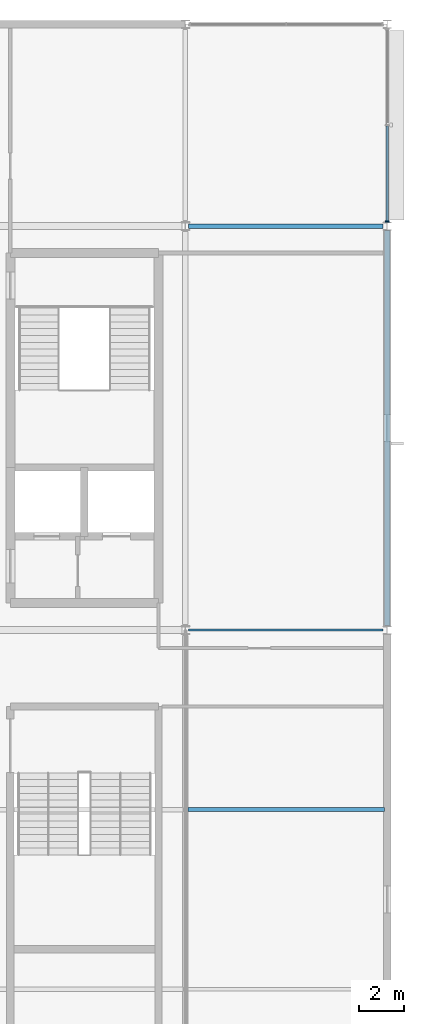
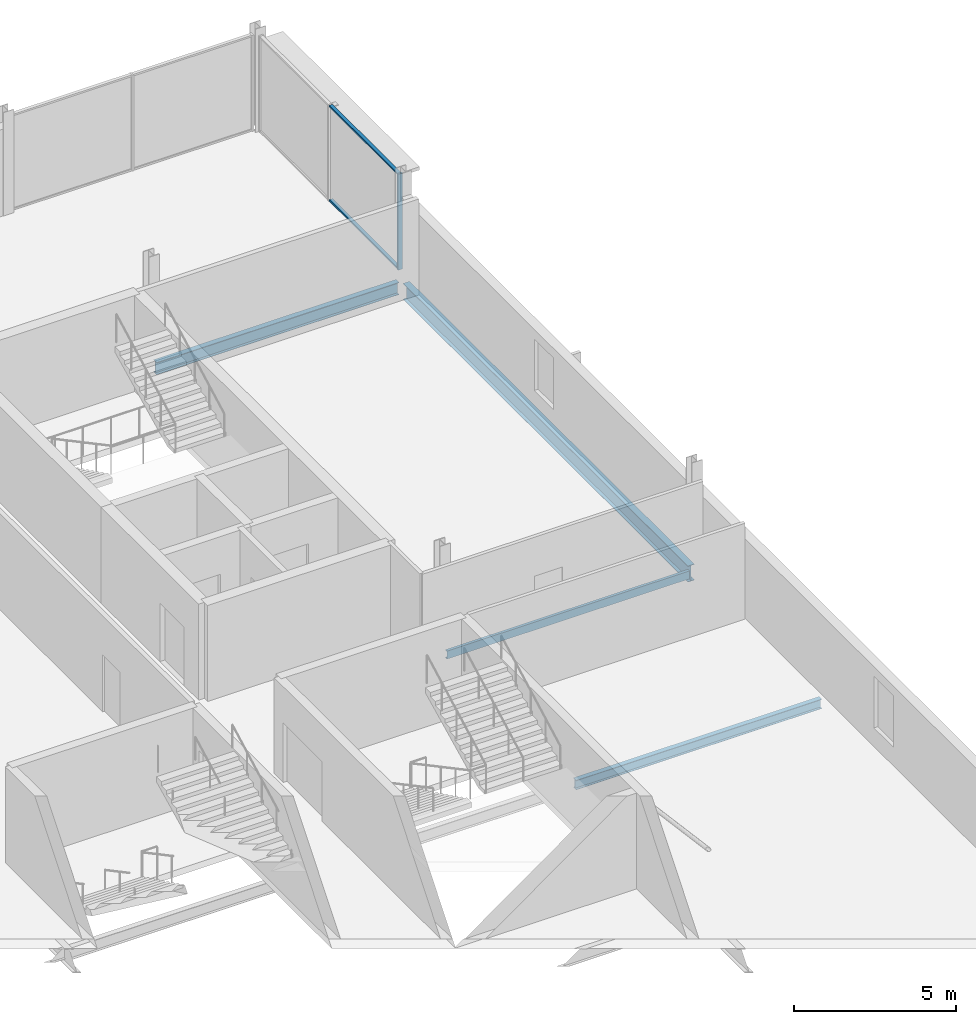
# One storey, part 52 of 98: 4 beams, 3 members, 1 element without a shape of its own.
"""IFC4 building model written with IfcOpenShell, lengths in metres."""

from ifc_helpers import new_model, si_unit, direction, frame, origin, origin_2d, place, context, subcontext, project, spatial, rectangle, i_section, u_section, extrude, material, layer, layer_set, material_profile, profile_set, type_object, element, aggregate, save


model = new_model("IFC4")

# Units and contexts
model_context = context("Model", 3, precision=1e-05, world=origin(), true_north=direction((0.0, 1.0)))
body_context = subcontext(model_context, "Body", "Model", "MODEL_VIEW")
ifc_project = project(units=[si_unit("LENGTHUNIT", "METRE"), si_unit("AREAUNIT", "SQUARE_METRE"), si_unit("VOLUMEUNIT", "CUBIC_METRE"), si_unit("PLANEANGLEUNIT", "RADIAN"), si_unit("MASSUNIT", "GRAM", prefix="KILO")], contexts=[model_context])

# Site, building, storey
site_placement = place(None, origin())
site = spatial("IfcSite", under=ifc_project, at=site_placement, CompositionType="ELEMENT")
building_placement = place(site_placement, origin())
building = spatial("IfcBuilding", under=site, at=building_placement, Name="Kisiwana Market Hall", CompositionType="ELEMENT")
storey_placement = place(building_placement, frame((0.0, 0.0, 29.39990234375)))
storey = spatial("IfcBuildingStorey", under=building, at=storey_placement, Name="L06", CompositionType="ELEMENT", Elevation=29.39990234375)

# Beams
ifc_material_1 = material(Name="Steel S355", Category="steel")
ifc_material_profile_1 = material_profile(ifc_material_1, i_section(OverallWidth=0.19140625, OverallDepth=0.4599609375, WebThickness=0.010009765625, FlangeThickness=0.01611328125, at=origin_2d()), Name="UB 457x191x82")
ifc_profile_set_1 = profile_set([ifc_material_profile_1], Name="Steel S355")
beam_type_1 = type_object("IfcBeamType", Name="BM-GIRD-UB457H", PredefinedType="BEAM", material=ifc_profile_set_1)
beam_1_placement = place(storey_placement, frame((189.14599609375, 102.0, -0.474853515625), z_axis=(1.0, 0.0, 0.0), x_axis=(0.0, 1.0, 0.0)))
element("IfcBeam", 1, at=beam_1_placement, inside=storey, type_object=beam_type_1, Name="Floor beam B-1840", PredefinedType="BEAM", context=body_context, shape_type="SweptSolid", body=[
    extrude(i_section(OverallWidth=0.19140625, OverallDepth=0.4599609375, WebThickness=0.010009765625, FlangeThickness=0.01611328125, at=origin_2d()), origin(), (0.0, 0.0, 1.0), 8.65478515625),
])
ifc_material_2 = material(Name="Steel S355", Category="steel")
ifc_material_profile_2 = material_profile(ifc_material_2, i_section(OverallWidth=0.22900390625, OverallDepth=0.6123046875, WebThickness=0.011962890625, FlangeThickness=0.01953125, at=origin_2d()), Name="UB 610x229x125")
ifc_profile_set_2 = profile_set([ifc_material_profile_2], Name="Steel S355")
beam_type_2 = type_object("IfcBeamType", Name="BM-GIRD-UB610H", PredefinedType="BEAM", material=ifc_profile_set_2)
beam_2_placement = place(storey_placement, frame((198.0, 84.19921875, -0.551025390625), z_axis=(0.0, 1.0, 0.0), x_axis=(-1.0, 0.0, 0.0)))
element("IfcBeam", 2, at=beam_2_placement, inside=storey, type_object=beam_type_2, Name="Floor beam B-1875", PredefinedType="BEAM", context=body_context, shape_type="SweptSolid", body=[
    extrude(i_section(OverallWidth=0.22900390625, OverallDepth=0.6123046875, WebThickness=0.011962890625, FlangeThickness=0.01953125, at=origin_2d()), origin(), (0.0, 0.0, 1.0), 17.6015625),
])
ifc_material_3 = material(Name="Steel S355", Category="steel")
ifc_material_profile_3 = material_profile(ifc_material_3, i_section(OverallWidth=0.17138671875, OverallDepth=0.35498046875, WebThickness=0.00732421875, FlangeThickness=0.011474609375, at=origin_2d()), Name="UB 356x171x51")
ifc_profile_set_3 = profile_set([ifc_material_profile_3], Name="Steel S355")
beam_type_3 = type_object("IfcBeamType", Name="BM-JOIST-UB356", PredefinedType="JOIST", material=ifc_profile_set_3)
beam_3_placement = place(storey_placement, frame((189.113525390625, 76.0, -0.42236328125), z_axis=(1.0, 0.0, 0.0), x_axis=(0.0, 1.0, 0.0)))
element("IfcBeam", 3, at=beam_3_placement, inside=storey, type_object=beam_type_3, Name="Secondary floor joist B-1774", PredefinedType="JOIST", context=body_context, shape_type="SweptSolid", body=[
    extrude(i_section(OverallWidth=0.17138671875, OverallDepth=0.35498046875, WebThickness=0.00732421875, FlangeThickness=0.011474609375, at=origin_2d()), origin(), (0.0, 0.0, 1.0), 8.77294921875),
])
ifc_material_4 = material(Name="Steel S355", Category="steel")
ifc_material_profile_4 = material_profile(ifc_material_4, u_section(Depth=0.300048828125, FlangeWidth=0.10009765625, WebThickness=0.009033203125, FlangeThickness=0.0166015625, at=origin_2d()), Name="PFC 300x100x46")
ifc_profile_set_4 = profile_set([ifc_material_profile_4], Name="Steel S355")
beam_type_4 = type_object("IfcBeamType", Name="BM-SPAN-PFC300", PredefinedType="SPANDREL", material=ifc_profile_set_4)
beam_4_placement = place(storey_placement, frame((189.14599609375, 84.0, -0.39501953125), z_axis=(1.0, 0.0, 0.0), x_axis=(0.0, 1.0, 0.0)))
element("IfcBeam", 4, at=beam_4_placement, inside=storey, type_object=beam_type_4, Name="Floor beam B-1820", PredefinedType="SPANDREL", context=body_context, shape_type="SweptSolid", body=[
    extrude(u_section(Depth=0.300048828125, FlangeWidth=0.10009765625, WebThickness=0.009033203125, FlangeThickness=0.0166015625, at=origin_2d()), origin(), (0.0, 0.0, 1.0), 8.65478515625),
])

# Curtain wall, members
ifc_material_5 = material(Name="Double-glazed solar-control low-E IGU", Category="glass")
ifc_layer = layer(ifc_material_5, 0.159912109375)
ifc_layer_set = layer_set([ifc_layer], Name="CW-ZNA-EW-8200")
curtain_wall_type = type_object("IfcCurtainWallType", Name="CW-ZNA-EW-8200", PredefinedType="USERDEFINED", material=ifc_layer_set)
curtain_wall_placement = place(storey_placement, origin())
curtain_wall = element("IfcCurtainWall", 5, at=curtain_wall_placement, inside=storey, type_object=curtain_wall_type, Name="Unitised curtain wall CW-208 (L06)", ObjectType="UNITISED CURTAIN WALL", PredefinedType="USERDEFINED")
ifc_material_6 = material(Name="Aluminium alloy 6063-T6", Category="aluminium")
ifc_material_profile_5 = material_profile(ifc_material_6, rectangle(XDim=0.06005859375, YDim=0.159912109375, at=origin_2d()), Name="ALU MULLION 60x160")
ifc_profile_set_5 = profile_set([ifc_material_profile_5], Name="Aluminium alloy 6063-T6")
member_type_1 = type_object("IfcMemberType", Name="CW-MULL-60x160", PredefinedType="MULLION", material=ifc_profile_set_5)
member_1_placement = place(storey_placement, frame((198.0, 102.2109375, 0.0), z_axis=(0.0, 0.0, 1.0), x_axis=(0.0, 1.0, 0.0)))
member_1 = element("IfcMember", 6, at=member_1_placement, type_object=member_type_1, Name="CW-208 mullion 1", PredefinedType="MULLION", context=body_context, shape_type="SweptSolid", body=[
    extrude(rectangle(XDim=0.06005859375, YDim=0.159912109375, at=origin_2d()), origin(), (0.0, 0.0, 1.0), 3.6201171875),
])
ifc_material_7 = material(Name="Aluminium alloy 6063-T6", Category="aluminium")
ifc_material_profile_6 = material_profile(ifc_material_7, rectangle(XDim=0.1201171875, YDim=0.06005859375, at=origin_2d()), Name="ALU TRANSOM 60x120")
ifc_profile_set_6 = profile_set([ifc_material_profile_6], Name="Aluminium alloy 6063-T6")
member_type_2 = type_object("IfcMemberType", Name="CW-TRAN-60x120", PredefinedType="USERDEFINED", material=ifc_profile_set_6)
member_2_placement = place(storey_placement, frame((198.0, 102.240966796875, 0.030029296875), z_axis=(0.0, 1.0, 0.0), x_axis=(-1.0, 0.0, 0.0)))
member_2 = element("IfcMember", 7, at=member_2_placement, type_object=member_type_2, Name="CW-208 transom 1.1", ObjectType="TRANSOM", PredefinedType="USERDEFINED", context=body_context, shape_type="SweptSolid", body=[
    extrude(rectangle(XDim=0.1201171875, YDim=0.06005859375, at=origin_2d()), origin(), (0.0, 0.0, 1.0), 4.22900390625),
])
member_3_placement = place(storey_placement, frame((198.0, 102.240966796875, 3.590087890625), z_axis=(0.0, 1.0, 0.0), x_axis=(-1.0, 0.0, 0.0)))
member_3 = element("IfcMember", 8, at=member_3_placement, type_object=member_type_2, Name="CW-208 transom 1.2", ObjectType="TRANSOM", PredefinedType="USERDEFINED", context=body_context, shape_type="SweptSolid", body=[
    extrude(rectangle(XDim=0.1201171875, YDim=0.06005859375, at=origin_2d()), origin(), (0.0, 0.0, 1.0), 4.22900390625),
])
aggregate(curtain_wall, [member_1, member_2, member_3])

save(model, "model.ifc")
